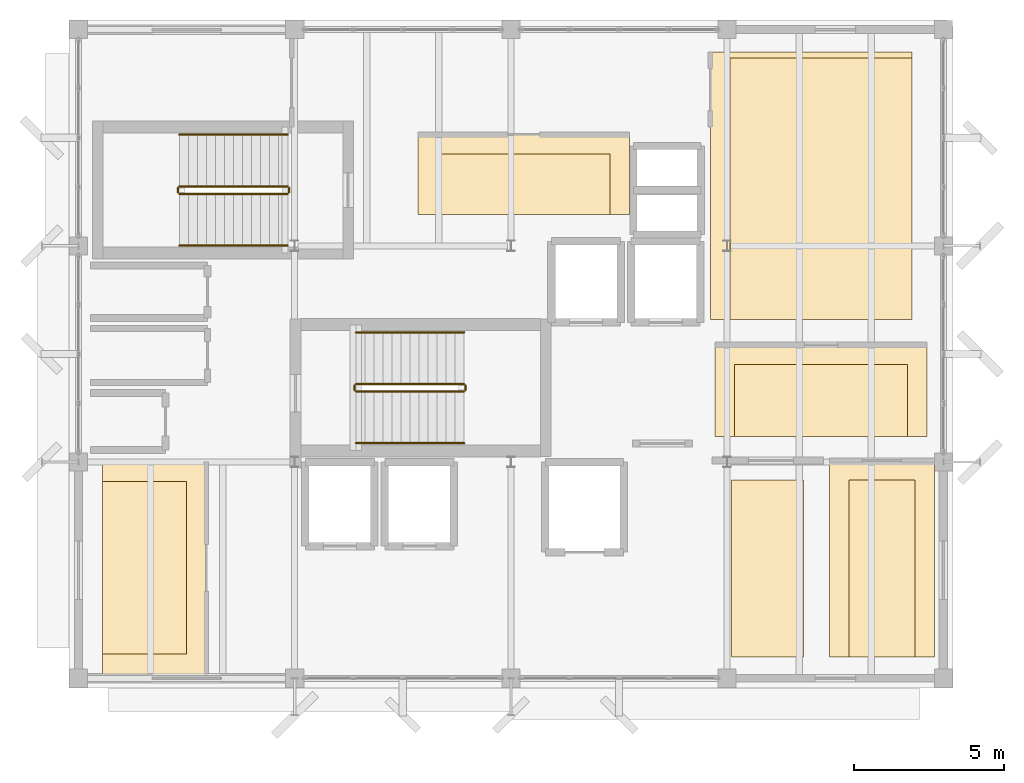
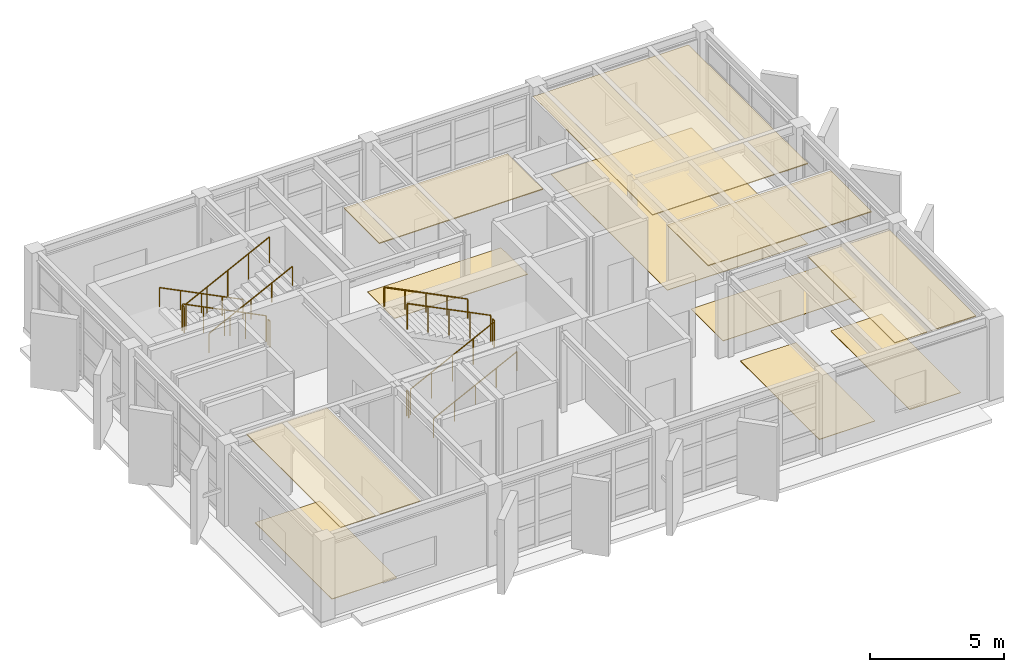
# One storey, part 15 of 15: 12 railings, 11 coverings.
"""IFC4 building model written with IfcOpenShell, lengths in metres."""

from ifc_helpers import new_model, si_unit, direction, frame, origin, origin_2d, place, context, subcontext, project, spatial, polyline, circle, outline, extrude, material, layer, layer_set, type_object, element, save


model = new_model("IFC4")

# Units and contexts
model_context = context("Model", 3, precision=1e-05, world=origin(), true_north=direction((0.0, 1.0)))
body_context = subcontext(model_context, "Body", "Model", "MODEL_VIEW")
ifc_project = project(units=[si_unit("LENGTHUNIT", "METRE"), si_unit("AREAUNIT", "SQUARE_METRE"), si_unit("VOLUMEUNIT", "CUBIC_METRE"), si_unit("PLANEANGLEUNIT", "RADIAN"), si_unit("MASSUNIT", "GRAM", prefix="KILO")], contexts=[model_context])

# Site, building, storey
site_placement = place(None, origin())
site = spatial("IfcSite", under=ifc_project, at=site_placement, CompositionType="ELEMENT")
building_placement = place(site_placement, origin())
building = spatial("IfcBuilding", under=site, at=building_placement, Name="Kandorven Conservatory and Botanical Research Centre", CompositionType="ELEMENT")
storey_placement = place(building_placement, frame((0.0, 0.0, 52.199951171875)))
storey = spatial("IfcBuildingStorey", under=building, at=storey_placement, Name="L13", CompositionType="ELEMENT", Elevation=52.199951171875)

# Coverings
ifc_material_1 = material(Name="Perforated mineral-fibre acoustic ceiling tile", Category="gypsum")
ifc_layer_1 = layer(ifc_material_1, 0.0400390625)
ifc_layer_set_1 = layer_set([ifc_layer_1], Name="Perforated mineral-fibre acoustic ceiling tile")
covering_type_1 = type_object("IfcCoveringType", Name="Cov_Ceiling_1", PredefinedType="CEILING", material=ifc_layer_set_1)
covering_1_placement = place(storey_placement, frame((0.0, 0.0, 3.64501953125)))
element("IfcCovering", 1, at=covering_1_placement, inside=storey, type_object=covering_type_1, Name="Suspended acoustic ceiling CLG-01 (Dryland Flora Research Laboratory L13)", PredefinedType="CEILING", context=body_context, shape_type="SweptSolid", body=[
    extrude(outline(polyline([(17.300048828125, 21.449951171875), (24.35009765625, 21.449951171875), (24.35009765625, 24.10009765625), (17.300048828125, 24.10009765625), (17.300048828125, 21.449951171875)])), origin(), (0.0, 0.0, 1.0), 0.0400390625),
])
covering_2_placement = place(storey_placement, frame((0.0, 0.0, 3.64501953125)))
element("IfcCovering", 2, at=covering_2_placement, inside=storey, type_object=covering_type_1, Name="Suspended acoustic ceiling CLG-01 (Seed Ecology Research Studio L13)", PredefinedType="CEILING", context=body_context, shape_type="SweptSolid", body=[
    extrude(outline(polyline([(27.199951171875, 14.050048828125), (34.25, 14.050048828125), (34.25, 17.10009765625), (27.199951171875, 17.10009765625), (27.199951171875, 14.050048828125)])), origin(), (0.0, 0.0, 1.0), 0.0400390625),
])
covering_3_placement = place(storey_placement, frame((0.0, 0.0, 3.255126953125)))
element("IfcCovering", 3, at=covering_3_placement, inside=storey, type_object=covering_type_1, Name="Suspended acoustic ceiling CLG-01 (Arid Zone Ecology Research Laboratory L13)", PredefinedType="CEILING", context=body_context, shape_type="SweptSolid", body=[
    extrude(outline(polyline([(31.0, 6.699951171875), (34.5, 6.699951171875), (34.5, 13.25), (31.0, 13.25), (31.0, 6.699951171875)])), origin(), (0.0, 0.0, 1.0), 0.0400390625),
])
covering_4_placement = place(storey_placement, frame((0.0, 0.0, 3.64501953125)))
element("IfcCovering", 4, at=covering_4_placement, inside=storey, type_object=covering_type_1, Name="Suspended acoustic ceiling CLG-01 (Botanical GIS and Remote Sensing Laboratory L13)", PredefinedType="CEILING", context=body_context, shape_type="SweptSolid", body=[
    extrude(outline(polyline([(27.050048828125, 17.949951171875), (33.75, 17.949951171875), (33.75, 26.85009765625), (27.050048828125, 26.85009765625), (27.050048828125, 17.949951171875)])), origin(), (0.0, 0.0, 1.0), 0.0400390625),
])
covering_5_placement = place(storey_placement, frame((0.0, 0.0, 3.64501953125)))
element("IfcCovering", 5, at=covering_5_placement, inside=storey, type_object=covering_type_1, Name="Suspended acoustic ceiling CLG-01 (Herbarium Research Seminar Room L13)", PredefinedType="CEILING", context=body_context, shape_type="SweptSolid", body=[
    extrude(outline(polyline([(6.800048828125, 6.14990234375), (10.25, 6.14990234375), (10.25, 13.199951171875), (6.800048828125, 13.199951171875), (6.800048828125, 6.14990234375)])), origin(), (0.0, 0.0, 1.0), 0.0400390625),
])
ifc_material_2 = material(Name="Honed Kota stone and epoxy laboratory flooring", Category="masonry")
ifc_layer_2 = layer(ifc_material_2, 0.02490234375)
ifc_layer_set_2 = layer_set([ifc_layer_2], Name="Honed Kota stone and epoxy laboratory flooring")
covering_type_2 = type_object("IfcCoveringType", Name="Cov_Flooring_1", PredefinedType="FLOORING", material=ifc_layer_set_2)
covering_6_placement = place(storey_placement, origin())
element("IfcCovering", 6, at=covering_6_placement, inside=storey, type_object=covering_type_2, Name="Floor finish FLR-01 (Dryland Flora Research Laboratory L13)", PredefinedType="FLOORING", context=body_context, shape_type="SweptSolid", body=[
    extrude(outline(polyline([(17.949951171875, 21.449951171875), (23.699951171875, 21.449951171875), (23.699951171875, 23.449951171875), (17.949951171875, 23.449951171875), (17.949951171875, 21.449951171875)])), origin(), (0.0, 0.0, 1.0), 0.025146484375),
])
covering_7_placement = place(storey_placement, origin())
element("IfcCovering", 7, at=covering_7_placement, inside=storey, type_object=covering_type_2, Name="Floor finish FLR-01 (Seed Ecology Research Studio L13)", PredefinedType="FLOORING", context=body_context, shape_type="SweptSolid", body=[
    extrude(outline(polyline([(27.85009765625, 14.050048828125), (33.60009765625, 14.050048828125), (33.60009765625, 16.449951171875), (27.85009765625, 16.449951171875), (27.85009765625, 14.050048828125)])), origin(), (0.0, 0.0, 1.0), 0.025146484375),
])
covering_8_placement = place(storey_placement, origin())
element("IfcCovering", 8, at=covering_8_placement, inside=storey, type_object=covering_type_2, Name="Floor finish FLR-01 (Regional Flora Herbarium Archive L13)", PredefinedType="FLOORING", context=body_context, shape_type="SweptSolid", body=[
    extrude(outline(polyline([(27.75, 6.699951171875), (30.14990234375, 6.699951171875), (30.14990234375, 12.60009765625), (27.75, 12.60009765625), (27.75, 6.699951171875)])), origin(), (0.0, 0.0, 1.0), 0.025146484375),
])
covering_9_placement = place(storey_placement, origin())
element("IfcCovering", 9, at=covering_9_placement, inside=storey, type_object=covering_type_2, Name="Floor finish FLR-01 (Arid Zone Ecology Research Laboratory L13)", PredefinedType="FLOORING", context=body_context, shape_type="SweptSolid", body=[
    extrude(outline(polyline([(31.64990234375, 6.699951171875), (33.85009765625, 6.699951171875), (33.85009765625, 12.60009765625), (31.64990234375, 12.60009765625), (31.64990234375, 6.699951171875)])), origin(), (0.0, 0.0, 1.0), 0.025146484375),
])
covering_10_placement = place(storey_placement, origin())
element("IfcCovering", 10, at=covering_10_placement, inside=storey, type_object=covering_type_2, Name="Floor finish FLR-01 (Botanical GIS and Remote Sensing Laboratory L13)", PredefinedType="FLOORING", context=body_context, shape_type="SweptSolid", body=[
    extrude(outline(polyline([(27.699951171875, 17.949951171875), (33.75, 17.949951171875), (33.75, 26.64990234375), (27.699951171875, 26.64990234375), (27.699951171875, 17.949951171875)])), origin(), (0.0, 0.0, 1.0), 0.025146484375),
])
covering_11_placement = place(storey_placement, origin())
element("IfcCovering", 11, at=covering_11_placement, inside=storey, type_object=covering_type_2, Name="Floor finish FLR-01 (Herbarium Research Seminar Room L13)", PredefinedType="FLOORING", context=body_context, shape_type="SweptSolid", body=[
    extrude(outline(polyline([(6.800048828125, 6.800048828125), (9.60009765625, 6.800048828125), (9.60009765625, 12.550048828125), (6.800048828125, 12.550048828125), (6.800048828125, 6.800048828125)])), origin(), (0.0, 0.0, 1.0), 0.025146484375),
])

# Railings
ifc_material_3 = material(Name="Steel S355 (IS 2062 E350)", Category="steel")
railing_type_1 = type_object("IfcRailingType", Name="StairGuard_1150", PredefinedType="BALUSTRADE", material=ifc_material_3)
railing_1_placement = place(storey_placement, frame((15.239990234375, 15.550048828125, 0.150146484375)))
element("IfcRailing", 12, at=railing_1_placement, inside=storey, type_object=railing_type_1, Name="L13 ST-T1 stair guard 1", PredefinedType="BALUSTRADE", context=body_context, shape_type="SweptSolid", body=[
    extrude(circle(Radius=0.02392578125, at=origin_2d()), frame((0.0, 0.0, 1.17578125), z_axis=(0.894451452574, 0.0, 0.447165069061), x_axis=(0.0, 1.0, 0.0)), (0.0, 0.0, 1.0), 4.02490234375),
    extrude(circle(Radius=0.02099609375, at=origin_2d()), origin(), (0.0, 0.0, 1.0), 1.15185546875),
    extrude(circle(Radius=0.02099609375, at=origin_2d()), frame((0.89990234375, 0.0, 0.449951171875)), (0.0, 0.0, 1.0), 1.15185546875),
    extrude(circle(Radius=0.02099609375, at=origin_2d()), frame((1.800048828125, 0.0, 0.89990234375)), (0.0, 0.0, 1.0), 1.15185546875),
    extrude(circle(Radius=0.02099609375, at=origin_2d()), frame((2.7001953125, 0.0, 1.349853515625)), (0.0, 0.0, 1.0), 1.15185546875),
    extrude(circle(Radius=0.02099609375, at=origin_2d()), frame((3.60009765625, 0.0, 1.7998046875)), (0.0, 0.0, 1.0), 1.15185546875),
])
railing_2_placement = place(storey_placement, frame((18.889892578125, 15.60009765625, 1.949951171875)))
element("IfcRailing", 13, at=railing_2_placement, inside=storey, type_object=railing_type_1, Name="L13 ST-T1 stair guard 2", PredefinedType="BALUSTRADE", context=body_context, shape_type="SweptSolid", body=[
    extrude(circle(Radius=0.02392578125, at=origin_2d()), frame((0.0, 0.0, 1.17578125), z_axis=(0.0, 1.0, 0.0), x_axis=(-1.0, 0.0, 0.0)), (0.0, 0.0, 1.0), 0.14990234375),
    extrude(circle(Radius=0.02099609375, at=origin_2d()), origin(), (0.0, 0.0, 1.0), 1.15185546875),
    extrude(circle(Radius=0.02099609375, at=origin_2d()), frame((0.0, 0.14990234375, 0.0)), (0.0, 0.0, 1.0), 1.15185546875),
])
railing_3_placement = place(storey_placement, frame((18.840087890625, 15.800048828125, 2.10009765625)))
element("IfcRailing", 14, at=railing_3_placement, inside=storey, type_object=railing_type_1, Name="L13 ST-T1 stair guard 3", PredefinedType="BALUSTRADE", context=body_context, shape_type="SweptSolid", body=[
    extrude(circle(Radius=0.02392578125, at=origin_2d()), frame((0.0, 0.0, 1.17578125), z_axis=(-0.894427191, 0.0, 0.4472135955), x_axis=(0.0, -1.0, 0.0)), (0.0, 0.0, 1.0), 4.025146484375),
    extrude(circle(Radius=0.02099609375, at=origin_2d()), origin(), (0.0, 0.0, 1.0), 1.15185546875),
    extrude(circle(Radius=0.02099609375, at=origin_2d()), frame((-0.89990234375, 0.0, 0.449951171875)), (0.0, 0.0, 1.0), 1.15185546875),
    extrude(circle(Radius=0.02099609375, at=origin_2d()), frame((-1.800048828125, 0.0, 0.89990234375)), (0.0, 0.0, 1.0), 1.15185546875),
    extrude(circle(Radius=0.02099609375, at=origin_2d()), frame((-2.7001953125, 0.0, 1.35009765625)), (0.0, 0.0, 1.0), 1.15185546875),
    extrude(circle(Radius=0.02099609375, at=origin_2d()), frame((-3.60009765625, 0.0, 1.800048828125)), (0.0, 0.0, 1.0), 1.15185546875),
])
railing_4_placement = place(storey_placement, frame((15.18994140625, 15.60009765625, 0.0)))
element("IfcRailing", 15, at=railing_4_placement, inside=storey, type_object=railing_type_1, Name="L13 ST-T1 stair guard 4", PredefinedType="BALUSTRADE", context=body_context, shape_type="SweptSolid", body=[
    extrude(circle(Radius=0.02392578125, at=origin_2d()), frame((0.0, 0.0, 1.17578125), z_axis=(0.0, 1.0, 0.0), x_axis=(-1.0, 0.0, 0.0)), (0.0, 0.0, 1.0), 0.14990234375),
    extrude(circle(Radius=0.02099609375, at=origin_2d()), origin(), (0.0, 0.0, 1.0), 1.15185546875),
    extrude(circle(Radius=0.02099609375, at=origin_2d()), frame((0.0, 0.14990234375, 0.0)), (0.0, 0.0, 1.0), 1.15185546875),
])
railing_5_placement = place(storey_placement, frame((12.9599609375, 22.3798828125, 0.150146484375)))
element("IfcRailing", 16, at=railing_5_placement, inside=storey, type_object=railing_type_1, Name="L13 ST-T2 stair guard 1", PredefinedType="BALUSTRADE", context=body_context, shape_type="SweptSolid", body=[
    extrude(circle(Radius=0.02392578125, at=origin_2d()), frame((0.0, 0.0, 1.17578125), z_axis=(-0.894439322774, 0.0, 0.447189331129), x_axis=(0.0, -1.0, 0.0)), (0.0, 0.0, 1.0), 4.024658203125),
    extrude(circle(Radius=0.02099609375, at=origin_2d()), origin(), (0.0, 0.0, 1.0), 1.15185546875),
    extrude(circle(Radius=0.02099609375, at=origin_2d()), frame((-0.89990234375, 0.0, 0.449951171875)), (0.0, 0.0, 1.0), 1.15185546875),
    extrude(circle(Radius=0.02099609375, at=origin_2d()), frame((-1.7998046875, 0.0, 0.89990234375)), (0.0, 0.0, 1.0), 1.15185546875),
    extrude(circle(Radius=0.02099609375, at=origin_2d()), frame((-2.699951171875, 0.0, 1.349853515625)), (0.0, 0.0, 1.0), 1.15185546875),
    extrude(circle(Radius=0.02099609375, at=origin_2d()), frame((-3.599853515625, 0.0, 1.7998046875)), (0.0, 0.0, 1.0), 1.15185546875),
])
railing_6_placement = place(storey_placement, frame((9.31005859375, 22.330078125, 1.949951171875)))
element("IfcRailing", 17, at=railing_6_placement, inside=storey, type_object=railing_type_1, Name="L13 ST-T2 stair guard 2", PredefinedType="BALUSTRADE", context=body_context, shape_type="SweptSolid", body=[
    extrude(circle(Radius=0.02392578125, at=origin_2d()), frame((0.0, 0.0, 1.17578125), z_axis=(0.0, -1.0, 0.0), x_axis=(1.0, 0.0, 0.0)), (0.0, 0.0, 1.0), 0.150146484375),
    extrude(circle(Radius=0.02099609375, at=origin_2d()), origin(), (0.0, 0.0, 1.0), 1.15185546875),
    extrude(circle(Radius=0.02099609375, at=origin_2d()), frame((0.0, -0.150146484375, 0.0)), (0.0, 0.0, 1.0), 1.15185546875),
])
railing_7_placement = place(storey_placement, frame((9.360107421875, 22.1298828125, 2.10009765625)))
element("IfcRailing", 18, at=railing_7_placement, inside=storey, type_object=railing_type_1, Name="L13 ST-T2 stair guard 3", PredefinedType="BALUSTRADE", context=body_context, shape_type="SweptSolid", body=[
    extrude(circle(Radius=0.02392578125, at=origin_2d()), frame((0.0, 0.0, 1.17578125), z_axis=(0.894415058897, 0.0, 0.447237858884), x_axis=(0.0, 1.0, 0.0)), (0.0, 0.0, 1.0), 4.02490234375),
    extrude(circle(Radius=0.02099609375, at=origin_2d()), origin(), (0.0, 0.0, 1.0), 1.15185546875),
    extrude(circle(Radius=0.02099609375, at=origin_2d()), frame((0.89990234375, 0.0, 0.449951171875)), (0.0, 0.0, 1.0), 1.15185546875),
    extrude(circle(Radius=0.02099609375, at=origin_2d()), frame((1.7998046875, 0.0, 0.89990234375)), (0.0, 0.0, 1.0), 1.15185546875),
    extrude(circle(Radius=0.02099609375, at=origin_2d()), frame((2.699951171875, 0.0, 1.35009765625)), (0.0, 0.0, 1.0), 1.15185546875),
    extrude(circle(Radius=0.02099609375, at=origin_2d()), frame((3.599853515625, 0.0, 1.800048828125)), (0.0, 0.0, 1.0), 1.15185546875),
])
railing_8_placement = place(storey_placement, frame((13.010009765625, 22.330078125, 0.0)))
element("IfcRailing", 19, at=railing_8_placement, inside=storey, type_object=railing_type_1, Name="L13 ST-T2 stair guard 4", PredefinedType="BALUSTRADE", context=body_context, shape_type="SweptSolid", body=[
    extrude(circle(Radius=0.02392578125, at=origin_2d()), frame((0.0, 0.0, 1.17578125), z_axis=(0.0, -1.0, 0.0), x_axis=(1.0, 0.0, 0.0)), (0.0, 0.0, 1.0), 0.150146484375),
    extrude(circle(Radius=0.02099609375, at=origin_2d()), origin(), (0.0, 0.0, 1.0), 1.15185546875),
    extrude(circle(Radius=0.02099609375, at=origin_2d()), frame((0.0, -0.150146484375, 0.0)), (0.0, 0.0, 1.0), 1.15185546875),
])
ifc_material_4 = material(Name="Steel S355 (IS 2062 E350)", Category="steel")
railing_type_2 = type_object("IfcRailingType", Name="StairHandrail_900", PredefinedType="HANDRAIL", material=ifc_material_4)
railing_9_placement = place(storey_placement, frame((15.239990234375, 13.830078125, 0.150146484375)))
element("IfcRailing", 20, at=railing_9_placement, inside=storey, type_object=railing_type_2, Name="L13 ST-T1 stair handrail 1", PredefinedType="HANDRAIL", context=body_context, shape_type="SweptSolid", body=[
    extrude(circle(Radius=0.02392578125, at=origin_2d()), frame((0.0, 0.0, 0.8759765625), z_axis=(0.894451452574, 0.0, 0.447165069061), x_axis=(0.0, 1.0, 0.0)), (0.0, 0.0, 1.0), 4.02490234375),
    extrude(circle(Radius=0.02099609375, at=origin_2d()), origin(), (0.0, 0.0, 1.0), 0.851806640625),
    extrude(circle(Radius=0.02099609375, at=origin_2d()), frame((0.89990234375, 0.0, 0.449951171875)), (0.0, 0.0, 1.0), 0.851806640625),
    extrude(circle(Radius=0.02099609375, at=origin_2d()), frame((1.800048828125, 0.0, 0.89990234375)), (0.0, 0.0, 1.0), 0.851806640625),
    extrude(circle(Radius=0.02099609375, at=origin_2d()), frame((2.7001953125, 0.0, 1.349853515625)), (0.0, 0.0, 1.0), 0.851806640625),
    extrude(circle(Radius=0.02099609375, at=origin_2d()), frame((3.60009765625, 0.0, 1.7998046875)), (0.0, 0.0, 1.0), 0.851806640625),
])
railing_10_placement = place(storey_placement, frame((18.840087890625, 17.52001953125, 2.10009765625)))
element("IfcRailing", 21, at=railing_10_placement, inside=storey, type_object=railing_type_2, Name="L13 ST-T1 stair handrail 2", PredefinedType="HANDRAIL", context=body_context, shape_type="SweptSolid", body=[
    extrude(circle(Radius=0.02392578125, at=origin_2d()), frame((0.0, 0.0, 0.8759765625), z_axis=(-0.894427191, 0.0, 0.4472135955), x_axis=(0.0, -1.0, 0.0)), (0.0, 0.0, 1.0), 4.025146484375),
    extrude(circle(Radius=0.02099609375, at=origin_2d()), origin(), (0.0, 0.0, 1.0), 0.851806640625),
    extrude(circle(Radius=0.02099609375, at=origin_2d()), frame((-0.89990234375, 0.0, 0.449951171875)), (0.0, 0.0, 1.0), 0.851806640625),
    extrude(circle(Radius=0.02099609375, at=origin_2d()), frame((-1.800048828125, 0.0, 0.89990234375)), (0.0, 0.0, 1.0), 0.851806640625),
    extrude(circle(Radius=0.02099609375, at=origin_2d()), frame((-2.7001953125, 0.0, 1.35009765625)), (0.0, 0.0, 1.0), 0.851806640625),
    extrude(circle(Radius=0.02099609375, at=origin_2d()), frame((-3.60009765625, 0.0, 1.800048828125)), (0.0, 0.0, 1.0), 0.851806640625),
])
railing_11_placement = place(storey_placement, frame((12.9599609375, 24.10009765625, 0.150146484375)))
element("IfcRailing", 22, at=railing_11_placement, inside=storey, type_object=railing_type_2, Name="L13 ST-T2 stair handrail 1", PredefinedType="HANDRAIL", context=body_context, shape_type="SweptSolid", body=[
    extrude(circle(Radius=0.02392578125, at=origin_2d()), frame((0.0, 0.0, 0.8759765625), z_axis=(-0.894439322774, 0.0, 0.447189331129), x_axis=(0.0, -1.0, 0.0)), (0.0, 0.0, 1.0), 4.024658203125),
    extrude(circle(Radius=0.02099609375, at=origin_2d()), origin(), (0.0, 0.0, 1.0), 0.851806640625),
    extrude(circle(Radius=0.02099609375, at=origin_2d()), frame((-0.89990234375, 0.0, 0.449951171875)), (0.0, 0.0, 1.0), 0.851806640625),
    extrude(circle(Radius=0.02099609375, at=origin_2d()), frame((-1.7998046875, 0.0, 0.89990234375)), (0.0, 0.0, 1.0), 0.851806640625),
    extrude(circle(Radius=0.02099609375, at=origin_2d()), frame((-2.699951171875, 0.0, 1.349853515625)), (0.0, 0.0, 1.0), 0.851806640625),
    extrude(circle(Radius=0.02099609375, at=origin_2d()), frame((-3.599853515625, 0.0, 1.7998046875)), (0.0, 0.0, 1.0), 0.851806640625),
])
railing_12_placement = place(storey_placement, frame((9.360107421875, 20.409912109375, 2.10009765625)))
element("IfcRailing", 23, at=railing_12_placement, inside=storey, type_object=railing_type_2, Name="L13 ST-T2 stair handrail 2", PredefinedType="HANDRAIL", context=body_context, shape_type="SweptSolid", body=[
    extrude(circle(Radius=0.02392578125, at=origin_2d()), frame((0.0, 0.0, 0.8759765625), z_axis=(0.894415058897, 0.0, 0.447237858884), x_axis=(0.0, 1.0, 0.0)), (0.0, 0.0, 1.0), 4.02490234375),
    extrude(circle(Radius=0.02099609375, at=origin_2d()), origin(), (0.0, 0.0, 1.0), 0.851806640625),
    extrude(circle(Radius=0.02099609375, at=origin_2d()), frame((0.89990234375, 0.0, 0.449951171875)), (0.0, 0.0, 1.0), 0.851806640625),
    extrude(circle(Radius=0.02099609375, at=origin_2d()), frame((1.7998046875, 0.0, 0.89990234375)), (0.0, 0.0, 1.0), 0.851806640625),
    extrude(circle(Radius=0.02099609375, at=origin_2d()), frame((2.699951171875, 0.0, 1.35009765625)), (0.0, 0.0, 1.0), 0.851806640625),
    extrude(circle(Radius=0.02099609375, at=origin_2d()), frame((3.599853515625, 0.0, 1.800048828125)), (0.0, 0.0, 1.0), 0.851806640625),
])

save(model, "model.ifc")
